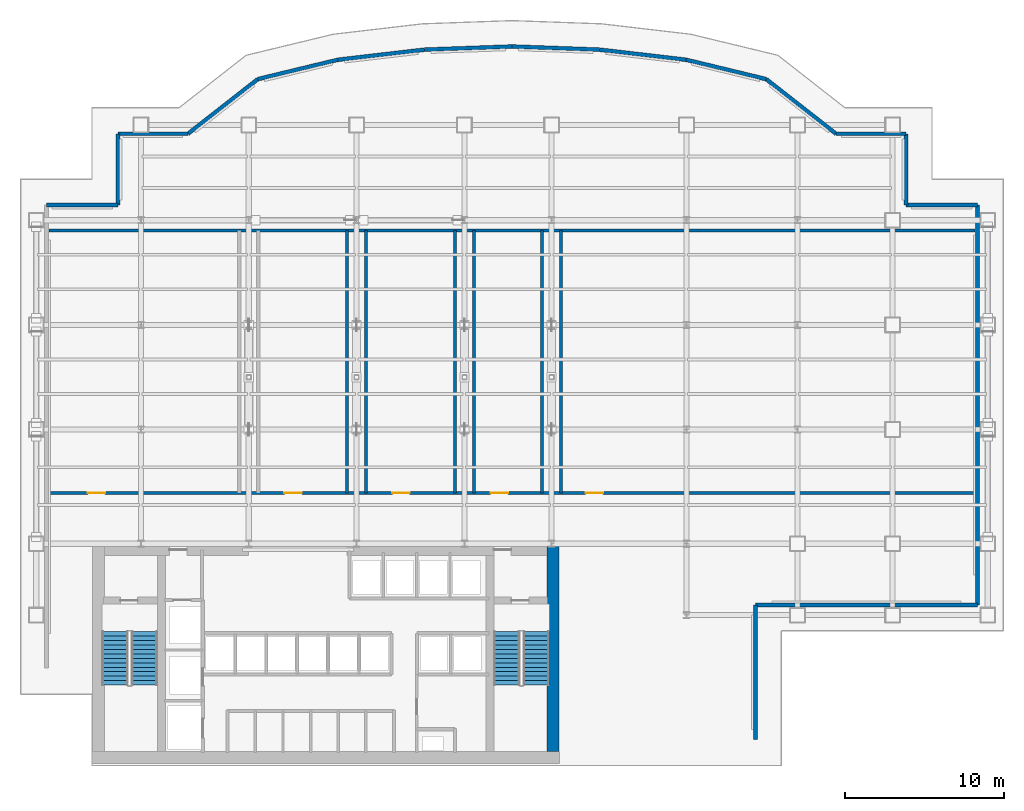
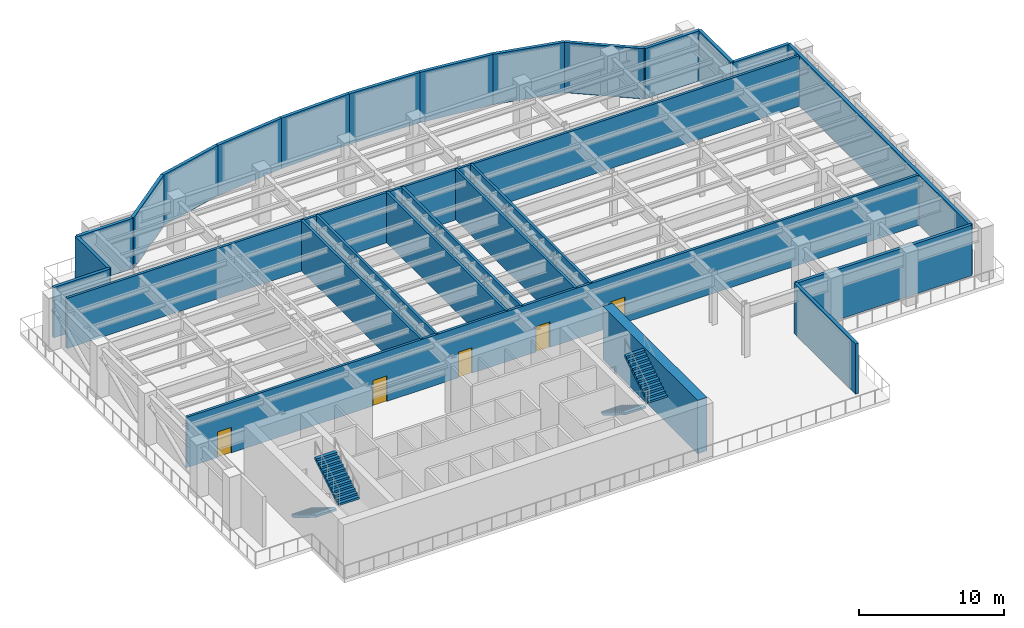
# One storey, part 11 of 14: 26 walls, 5 doors, 4 stair flights, 5 openings, 2 elements without a shape of their own.
"""IFC4 building model written with IfcOpenShell, lengths in metres."""

from ifc_helpers import new_model, si_unit, derived_unit, direction, frame, frame_2d, origin, place, context, subcontext, project, spatial, polyline, rectangle, outline, extrude, source, transform, mapped, material, layer, layer_set, type_object, element, fill, aggregate, save


model = new_model("IFC4")

# Units and contexts
model_context = context("Model", 3, precision=1e-05, world=origin(), true_north=direction((0.0, 1.0)))
body_context = subcontext(model_context, "Body", "Model", "MODEL_VIEW")
ifc_project = project(units=[si_unit("LENGTHUNIT", "METRE"), si_unit("AREAUNIT", "SQUARE_METRE"), si_unit("VOLUMEUNIT", "CUBIC_METRE"), si_unit("PLANEANGLEUNIT", "RADIAN"), si_unit("MASSUNIT", "GRAM", prefix="KILO"), derived_unit("THERMALTRANSMITTANCEUNIT", [(si_unit("POWERUNIT", "WATT"), 1), (si_unit("LENGTHUNIT", "METRE"), -2), (si_unit("THERMODYNAMICTEMPERATUREUNIT", "KELVIN"), -1)])], contexts=[model_context])

# Site, building, storey
site_placement = place(None, origin())
site = spatial("IfcSite", under=ifc_project, at=site_placement, CompositionType="ELEMENT")
building_placement = place(site_placement, origin())
building = spatial("IfcBuilding", under=site, at=building_placement, Name="Skarnbrae Concourse Arena and Tower", CompositionType="ELEMENT")
storey_placement = place(building_placement, frame((0.0, 0.0, 84.14990234375)))
storey = spatial("IfcBuildingStorey", under=building, at=storey_placement, Name="L20", CompositionType="ELEMENT", Elevation=84.14990234375)

# Walls
ifc_material_1 = material(Name="Concrete 60 MPa (C60/75)", Category="concrete")
ifc_layer_1 = layer(ifc_material_1, 0.75)
ifc_layer_set_1 = layer_set([ifc_layer_1], Name="Concrete 60 MPa (C60/75)")
wall_type_1 = type_object("IfcWallType", Name="WALL-CORE-750-C60", PredefinedType="SHEAR", material=ifc_layer_set_1)
shared_shape_1 = source(origin(), body_context, "Body", "SweptSolid", [
    extrude(rectangle(XDim=13.10009765625, YDim=0.75, at=frame_2d((6.550048828125, 0.0))), origin(), (0.0, 0.0, 1.0), 4.5),
])
wall_1_placement = place(storey_placement, frame((33.574951171875, 0.89990234375, 0.0), z_axis=(0.0, 0.0, 1.0), x_axis=(0.0, 1.0, 0.0)))
element("IfcWall", 1, at=wall_1_placement, inside=storey, type_object=wall_type_1, Name="L20 Rear core shear wall CW-E", PredefinedType="SHEAR", context=body_context, shape_type="MappedRepresentation", body=[
    mapped(shared_shape_1, transform((0.0, 0.0, 0.0))),
])
ifc_material_2 = material(Name="Precast concrete 40 MPa (C40/50)", Category="concrete")
ifc_layer_2 = layer(ifc_material_2, 0.25)
ifc_layer_set_2 = layer_set([ifc_layer_2], Name="Precast concrete 40 MPa (C40/50)")
wall_type_2 = type_object("IfcWallType", Name="WALL-EXT-SPANDREL-250", PredefinedType="STANDARD", material=ifc_layer_set_2)
shared_shape_2 = source(origin(), body_context, "Body", "SweptSolid", [
    extrude(rectangle(XDim=4.5, YDim=0.25, at=frame_2d((2.25, 0.0))), origin(), (0.0, 0.0, 1.0), 4.25),
])
for number, where, z_axis, x_axis, name in (
    (2, (1.64990234375, 35.35009765625, 0.0), (0.0, 0.0, 1.0), (1.0, 0.0, 0.0), "L20 Recessed refuge mechanical band wall 04"),
    (3, (6.14990234375, 35.35009765625, 0.0), (0.0, 0.0, 1.0), (0.0, 1.0, 0.0), "L20 Recessed refuge mechanical band wall 05"),
    (4, (55.85009765625, 39.85009765625, 0.0), (0.0, 0.0, 1.0), (0.0, -1.0, 0.0), "L20 Recessed refuge mechanical band wall 16"),
    (5, (55.85009765625, 35.35009765625, 0.0), (0.0, 0.0, 1.0), (1.0, 0.0, 0.0), "L20 Recessed refuge mechanical band wall 17"),
):
    element("IfcWall", number, at=place(storey_placement, frame(where, z_axis=z_axis, x_axis=x_axis)), inside=storey, type_object=wall_type_2, Name=name, PredefinedType="STANDARD", context=body_context, shape_type="MappedRepresentation", body=[
        mapped(shared_shape_2, transform((0.0, 0.0, 0.0))),
    ])
shared_shape_3 = source(origin(), body_context, "Body", "SweptSolid", [
    extrude(rectangle(XDim=4.418701171875, YDim=0.25, at=frame_2d((2.20947265625, 0.0))), origin(), (0.0, 0.0, 1.0), 4.25),
])
for number, where, z_axis, x_axis, name in (
    (6, (6.14990234375, 39.85009765625, 0.0), (0.0, 0.0, 1.0), (1.0, 0.0, 0.0), "L20 Recessed refuge mechanical band wall 06"),
    (7, (51.431396484375, 39.85009765625, 0.0), (0.0, 0.0, 1.0), (1.0, 0.0, 0.0), "L20 Recessed refuge mechanical band wall 15"),
):
    element("IfcWall", number, at=place(storey_placement, frame(where, z_axis=z_axis, x_axis=x_axis)), inside=storey, type_object=wall_type_2, Name=name, PredefinedType="STANDARD", context=body_context, shape_type="MappedRepresentation", body=[
        mapped(shared_shape_3, transform((0.0, 0.0, 0.0))),
    ])
shared_shape_4 = source(origin(), body_context, "Body", "SweptSolid", [
    extrude(rectangle(XDim=5.586669921875, YDim=0.25, at=frame_2d((2.79345703125, 0.0))), origin(), (0.0, 0.0, 1.0), 4.25),
])
for number, where, z_axis, x_axis, name in (
    (8, (10.568603515625, 39.85009765625, 0.0), (0.0, 0.0, 1.0), (0.787669121273, 0.61609849488, 0.0), "L20 Recessed refuge mechanical band wall 07"),
    (9, (47.031005859375, 43.2919921875, 0.0), (0.0, 0.0, 1.0), (0.787669121273, -0.61609849488, 0.0), "L20 Recessed refuge mechanical band wall 14"),
):
    element("IfcWall", number, at=place(storey_placement, frame(where, z_axis=z_axis, x_axis=x_axis)), inside=storey, type_object=wall_type_2, Name=name, PredefinedType="STANDARD", context=body_context, shape_type="MappedRepresentation", body=[
        mapped(shared_shape_4, transform((0.0, 0.0, 0.0))),
    ])
shared_shape_5 = source(origin(), body_context, "Body", "SweptSolid", [
    extrude(rectangle(XDim=5.19482421875, YDim=0.25, at=frame_2d((2.597412109375, 0.0))), origin(), (0.0, 0.0, 1.0), 4.25),
])
for number, where, z_axis, x_axis, name in (
    (10, (14.968994140625, 43.2919921875, 0.0), (0.0, 0.0, 1.0), (0.97197713532, 0.23507541006, 0.0), "L20 Recessed refuge mechanical band wall 08"),
    (11, (41.981689453125, 44.51318359375, 0.0), (0.0, 0.0, 1.0), (0.97197713532, -0.23507541006, 0.0), "L20 Recessed refuge mechanical band wall 13"),
):
    element("IfcWall", number, at=place(storey_placement, frame(where, z_axis=z_axis, x_axis=x_axis)), inside=storey, type_object=wall_type_2, Name=name, PredefinedType="STANDARD", context=body_context, shape_type="MappedRepresentation", body=[
        mapped(shared_shape_5, transform((0.0, 0.0, 0.0))),
    ])
shared_shape_6 = source(origin(), body_context, "Body", "SweptSolid", [
    extrude(rectangle(XDim=5.490478515625, YDim=0.25, at=frame_2d((2.7451171875, 0.0))), origin(), (0.0, 0.0, 1.0), 4.25),
])
for number, where, z_axis, x_axis, name in (
    (12, (20.018310546875, 44.51318359375, 0.0), (0.0, 0.0, 1.0), (0.993242565891, 0.116056905447, 0.0), "L20 Recessed refuge mechanical band wall 09"),
    (13, (36.5283203125, 45.150390625, 0.0), (0.0, 0.0, 1.0), (0.993242565891, -0.116056905447, 0.0), "L20 Recessed refuge mechanical band wall 12"),
):
    element("IfcWall", number, at=place(storey_placement, frame(where, z_axis=z_axis, x_axis=x_axis)), inside=storey, type_object=wall_type_2, Name=name, PredefinedType="STANDARD", context=body_context, shape_type="MappedRepresentation", body=[
        mapped(shared_shape_6, transform((0.0, 0.0, 0.0))),
    ])
shared_shape_7 = source(origin(), body_context, "Body", "SweptSolid", [
    extrude(rectangle(XDim=5.531982421875, YDim=0.25, at=frame_2d((2.76611328125, 0.0))), origin(), (0.0, 0.0, 1.0), 4.25),
])
for number, where, z_axis, x_axis, name in (
    (14, (25.4716796875, 45.150390625, 0.0), (0.0, 0.0, 1.0), (0.999356089991, 0.035880431954, 0.0), "L20 Recessed refuge mechanical band wall 10"),
    (15, (31.0, 45.348876953125, 0.0), (0.0, 0.0, 1.0), (0.999356089991, -0.035880431954, 0.0), "L20 Recessed refuge mechanical band wall 11"),
):
    element("IfcWall", number, at=place(storey_placement, frame(where, z_axis=z_axis, x_axis=x_axis)), inside=storey, type_object=wall_type_2, Name=name, PredefinedType="STANDARD", context=body_context, shape_type="MappedRepresentation", body=[
        mapped(shared_shape_7, transform((0.0, 0.0, 0.0))),
    ])
shared_shape_8 = source(origin(), body_context, "Body", "SweptSolid", [
    extrude(rectangle(XDim=25.2001953125, YDim=0.25, at=frame_2d((12.60009765625, 0.0))), origin(), (0.0, 0.0, 1.0), 4.25),
])
wall_2_placement = place(storey_placement, frame((60.35009765625, 35.35009765625, 0.0), z_axis=(0.0, 0.0, 1.0), x_axis=(0.0, -1.0, 0.0)))
element("IfcWall", 16, at=wall_2_placement, inside=storey, type_object=wall_type_2, Name="L20 Recessed refuge mechanical band wall 18", PredefinedType="STANDARD", context=body_context, shape_type="MappedRepresentation", body=[
    mapped(shared_shape_8, transform((0.0, 0.0, 0.0))),
])
shared_shape_9 = source(origin(), body_context, "Body", "SweptSolid", [
    extrude(rectangle(XDim=14.0, YDim=0.25, at=frame_2d((7.0, 0.0))), origin(), (0.0, 0.0, 1.0), 4.25),
])
wall_3_placement = place(storey_placement, frame((60.35009765625, 10.14990234375, 0.0), z_axis=(0.0, 0.0, 1.0), x_axis=(-1.0, 0.0, 0.0)))
element("IfcWall", 17, at=wall_3_placement, inside=storey, type_object=wall_type_2, Name="L20 Recessed refuge mechanical band wall 19", PredefinedType="STANDARD", context=body_context, shape_type="MappedRepresentation", body=[
    mapped(shared_shape_9, transform((0.0, 0.0, 0.0))),
])
shared_shape_10 = source(origin(), body_context, "Body", "SweptSolid", [
    extrude(rectangle(XDim=8.5, YDim=0.25, at=frame_2d((4.25, 0.0))), origin(), (0.0, 0.0, 1.0), 4.25),
])
wall_4_placement = place(storey_placement, frame((46.35009765625, 10.14990234375, 0.0), z_axis=(0.0, 0.0, 1.0), x_axis=(0.0, -1.0, 0.0)))
element("IfcWall", 18, at=wall_4_placement, inside=storey, type_object=wall_type_2, Name="L20 Recessed refuge mechanical band wall 20", PredefinedType="STANDARD", context=body_context, shape_type="MappedRepresentation", body=[
    mapped(shared_shape_10, transform((0.0, 0.0, 0.0))),
])

# Wall, openings, doors
ifc_material_3 = material(Name="Gypsum board on cold-formed steel studs", Category="steel")
ifc_layer_3 = layer(ifc_material_3, 0.199951171875)
ifc_layer_set_3 = layer_set([ifc_layer_3], Name="Gypsum board on cold-formed steel studs")
wall_type_3 = type_object("IfcWallType", Name="WALL-PART-200-2HR", PredefinedType="PARTITIONING", material=ifc_layer_set_3)
shared_shape_11 = source(origin(), body_context, "Body", "SweptSolid", [
    extrude(rectangle(XDim=58.419921875, YDim=0.199951171875, at=frame_2d((29.2099609375, 0.0))), origin(), (0.0, 0.0, 1.0), 4.25),
])
wall_5_placement = place(storey_placement, frame((1.7900390625, 17.199951171875, 0.0), z_axis=(0.0, 0.0, 1.0), x_axis=(1.0, 0.0, 0.0)))
wall_5 = element("IfcWall", 19, at=wall_5_placement, inside=storey, type_object=wall_type_3, Name="L20 Interior partition wall W-L20-PCN", PredefinedType="PARTITIONING", context=body_context, shape_type="MappedRepresentation", body=[
    mapped(shared_shape_11, transform((0.0, 0.0, 0.0))),
])
opening_1_placement = place(wall_5_placement, frame((2.4599609375, 0.0, 0.0)))
opening_1 = element("IfcOpeningElement", 20, at=opening_1_placement, cuts=wall_5, Name="Opening DT-03", PredefinedType="OPENING", context=body_context, shape_type="SweptSolid", body=[
    extrude(rectangle(XDim=1.10009765625, YDim=2.14990234375, at=frame_2d((0.550048828125, 1.074951171875))), frame((0.0, 0.10986328125, 0.0), z_axis=(0.0, -1.0, 0.0), x_axis=(1.0, 0.0, 0.0)), (0.0, 0.0, 1.0), 0.219970703125),
])
opening_2_placement = place(wall_5_placement, frame((14.860107421875, 0.0, 0.0)))
opening_2 = element("IfcOpeningElement", 21, at=opening_2_placement, cuts=wall_5, Name="Opening DT-03", PredefinedType="OPENING", context=body_context, shape_type="SweptSolid", body=[
    extrude(rectangle(XDim=1.10009765625, YDim=2.14990234375, at=frame_2d((0.550048828125, 1.074951171875))), frame((0.0, 0.10986328125, 0.0), z_axis=(0.0, -1.0, 0.0), x_axis=(1.0, 0.0, 0.0)), (0.0, 0.0, 1.0), 0.219970703125),
])
opening_3_placement = place(wall_5_placement, frame((21.659912109375, 0.0, 0.0)))
opening_3 = element("IfcOpeningElement", 22, at=opening_3_placement, cuts=wall_5, Name="Opening DT-03", PredefinedType="OPENING", context=body_context, shape_type="SweptSolid", body=[
    extrude(rectangle(XDim=1.10009765625, YDim=2.14990234375, at=frame_2d((0.550048828125, 1.074951171875))), frame((0.0, 0.10986328125, 0.0), z_axis=(0.0, -1.0, 0.0), x_axis=(1.0, 0.0, 0.0)), (0.0, 0.0, 1.0), 0.219970703125),
])
opening_4_placement = place(wall_5_placement, frame((27.860107421875, 0.0, 0.0)))
opening_4 = element("IfcOpeningElement", 23, at=opening_4_placement, cuts=wall_5, Name="Opening DT-03", PredefinedType="OPENING", context=body_context, shape_type="SweptSolid", body=[
    extrude(rectangle(XDim=1.10009765625, YDim=2.14990234375, at=frame_2d((0.550048828125, 1.074951171875))), frame((0.0, 0.10986328125, 0.0), z_axis=(0.0, -1.0, 0.0), x_axis=(1.0, 0.0, 0.0)), (0.0, 0.0, 1.0), 0.219970703125),
])
opening_5_placement = place(wall_5_placement, frame((33.860107421875, 0.0, 0.0)))
opening_5 = element("IfcOpeningElement", 24, at=opening_5_placement, cuts=wall_5, Name="Opening DT-03", PredefinedType="OPENING", context=body_context, shape_type="SweptSolid", body=[
    extrude(rectangle(XDim=1.10009765625, YDim=2.14990234375, at=frame_2d((0.550048828125, 1.074951171875))), frame((0.0, 0.10986328125, 0.0), z_axis=(0.0, -1.0, 0.0), x_axis=(1.0, 0.0, 0.0)), (0.0, 0.0, 1.0), 0.219970703125),
])
ifc_material_4 = material(Name="Steel CSA G40.21 350W", Category="steel")
door_type = type_object("IfcDoorType", Name="DOOR-FIRE-1100-90M", OperationType="NOTDEFINED", PredefinedType="DOOR", material=ifc_material_4)
shared_shape_12 = source(origin(), body_context, "Body", "SweptSolid", [
    extrude(rectangle(XDim=1.10009765625, YDim=2.14990234375, at=frame_2d((0.550048828125, 1.074951171875))), frame((0.0, 0.02490234375, 0.0), z_axis=(0.0, -1.0, 0.0), x_axis=(1.0, 0.0, 0.0)), (0.0, 0.0, 1.0), 0.050048828125),
])
door_1_placement = place(opening_1_placement, origin())
door_1 = element("IfcDoor", 25, at=door_1_placement, inside=storey, type_object=door_type, Name="D-0728 Refuge Area West Door", OperationType="SINGLE_SWING_LEFT", OverallHeight=2.14990234375, OverallWidth=1.10009765625, PredefinedType="DOOR", context=body_context, shape_type="MappedRepresentation", body=[
    mapped(shared_shape_12, transform((0.0, 0.0, 0.0))),
])
fill(opening_1, door_1)
door_2_placement = place(opening_2_placement, origin())
door_2 = element("IfcDoor", 26, at=door_2_placement, inside=storey, type_object=door_type, Name="D-0729 Chiller and Heat Rejection Mechanical Plant Door", OperationType="SINGLE_SWING_RIGHT", OverallHeight=2.14990234375, OverallWidth=1.10009765625, PredefinedType="DOOR", context=body_context, shape_type="MappedRepresentation", body=[
    mapped(shared_shape_12, transform((0.0, 0.0, 0.0))),
])
fill(opening_2, door_2)
door_3_placement = place(opening_3_placement, origin())
door_3 = element("IfcDoor", 27, at=door_3_placement, inside=storey, type_object=door_type, Name="D-0730 AHU Supply Fan Mechanical Plant Room Door", OperationType="SINGLE_SWING_LEFT", OverallHeight=2.14990234375, OverallWidth=1.10009765625, PredefinedType="DOOR", context=body_context, shape_type="MappedRepresentation", body=[
    mapped(shared_shape_12, transform((0.0, 0.0, 0.0))),
])
fill(opening_3, door_3)
door_4_placement = place(opening_4_placement, origin())
door_4 = element("IfcDoor", 28, at=door_4_placement, inside=storey, type_object=door_type, Name="D-0731 Domestic Booster and Fire Pump Mechanical Plant Door", OperationType="SINGLE_SWING_RIGHT", OverallHeight=2.14990234375, OverallWidth=1.10009765625, PredefinedType="DOOR", context=body_context, shape_type="MappedRepresentation", body=[
    mapped(shared_shape_12, transform((0.0, 0.0, 0.0))),
])
fill(opening_4, door_4)
door_5_placement = place(opening_5_placement, origin())
door_5 = element("IfcDoor", 29, at=door_5_placement, inside=storey, type_object=door_type, Name="D-0732 Refuge Area East Door", OperationType="SINGLE_SWING_LEFT", OverallHeight=2.14990234375, OverallWidth=1.10009765625, PredefinedType="DOOR", context=body_context, shape_type="MappedRepresentation", body=[
    mapped(shared_shape_12, transform((0.0, 0.0, 0.0))),
])
fill(opening_5, door_5)

# Walls
wall_6_placement = place(storey_placement, frame((1.7900390625, 33.75, 0.0), z_axis=(0.0, 0.0, 1.0), x_axis=(1.0, 0.0, 0.0)))
element("IfcWall", 30, at=wall_6_placement, inside=storey, type_object=wall_type_3, Name="L20 Interior partition wall W-L20-BTN-S", PredefinedType="PARTITIONING", context=body_context, shape_type="MappedRepresentation", body=[
    mapped(shared_shape_11, transform((0.0, 0.0, 0.0))),
])
shared_shape_13 = source(origin(), body_context, "Body", "SweptSolid", [
    extrude(rectangle(XDim=16.550048828125, YDim=0.199951171875, at=frame_2d((8.27490234375, 0.0))), origin(), (0.0, 0.0, 1.0), 4.25),
])
for number, where, z_axis, x_axis, name in (
    (31, (20.60009765625, 17.199951171875, 0.0), (0.0, 0.0, 1.0), (0.0, 1.0, 0.0), "L20 Interior partition wall W-L20-OCH-206"),
    (32, (21.800048828125, 17.199951171875, 0.0), (0.0, 0.0, 1.0), (0.0, 1.0, 0.0), "L20 Interior partition wall W-L20-OCH-218"),
    (33, (27.39990234375, 17.199951171875, 0.0), (0.0, 0.0, 1.0), (0.0, 1.0, 0.0), "L20 Interior partition wall W-L20-OCH-274"),
    (34, (28.60009765625, 17.199951171875, 0.0), (0.0, 0.0, 1.0), (0.0, 1.0, 0.0), "L20 Interior partition wall W-L20-OCH-286"),
    (35, (32.89990234375, 17.199951171875, 0.0), (0.0, 0.0, 1.0), (0.0, 1.0, 0.0), "L20 Interior partition wall W-L20-OCH-329"),
    (36, (34.10009765625, 17.199951171875, 0.0), (0.0, 0.0, 1.0), (0.0, 1.0, 0.0), "L20 Interior partition wall W-L20-OCH-341"),
):
    element("IfcWall", number, at=place(storey_placement, frame(where, z_axis=z_axis, x_axis=x_axis)), inside=storey, type_object=wall_type_3, Name=name, PredefinedType="PARTITIONING", context=body_context, shape_type="MappedRepresentation", body=[
        mapped(shared_shape_13, transform((0.0, 0.0, 0.0))),
    ])

# Stair, stair flights
ifc_material_5 = material(Name="Concrete 40 MPa (C40/50)", Category="concrete")
stair_type = type_object("IfcStairType", Name="STAIR-DOGLEG-1650", PredefinedType="HALF_TURN_STAIR", material=ifc_material_5)
stair_1_placement = place(storey_placement, origin())
stair_1 = element("IfcStair", 37, at=stair_1_placement, inside=storey, type_object=stair_type, Name="L20 Protected Exit Stair ST-1", PredefinedType="HALF_TURN_STAIR")
stair_flight_type = type_object("IfcStairFlightType", Name="FLIGHT-STRAIGHT-1650", PredefinedType="STRAIGHT", material=ifc_material_5)
shared_shape_14 = source(origin(), body_context, "Body", "SweptSolid", [
    extrude(outline(polyline([(0.0, 0.0), (0.0, 0.173095703125), (0.280029296875, 0.173095703125), (0.280029296875, 0.34619140625), (0.56005859375, 0.34619140625), (0.56005859375, 0.519287109375), (0.840087890625, 0.519287109375), (0.840087890625, 0.6923828125), (1.1201171875, 0.6923828125), (1.1201171875, 0.865478515625), (1.39990234375, 0.865478515625), (1.39990234375, 1.03857421875), (1.679931640625, 1.03857421875), (1.679931640625, 1.21142578125), (1.9599609375, 1.21142578125), (1.9599609375, 1.384521484375), (2.239990234375, 1.384521484375), (2.239990234375, 1.5576171875), (2.52001953125, 1.5576171875), (2.52001953125, 1.730712890625), (2.800048828125, 1.730712890625), (2.800048828125, 1.90380859375), (3.080078125, 1.90380859375), (3.080078125, 2.076904296875), (3.360107421875, 2.076904296875), (3.360107421875, 2.25), (3.360107421875, 1.900634765625), (0.28515625, 0.0), (0.0, 0.0)])), frame((0.0, 0.824951171875, 0.0), z_axis=(0.0, -1.0, 0.0), x_axis=(1.0, 0.0, 0.0)), (0.0, 0.0, 1.0), 1.64990234375),
])
stair_flight_1_placement = place(storey_placement, frame((5.97509765625, 8.449951171875, 0.0), z_axis=(0.0, 0.0, 1.0), x_axis=(0.0, -1.0, 0.0)))
stair_flight_1 = element("IfcStairFlight", 38, at=stair_flight_1_placement, type_object=stair_flight_type, Name="ST-1 flight 1", NumberOfRisers=13, NumberOfTreads=12, PredefinedType="STRAIGHT", RiserHeight=0.173076923, TreadLength=0.28, context=body_context, shape_type="MappedRepresentation", body=[
    mapped(shared_shape_14, transform((0.0, 0.0, 0.0))),
])
stair_flight_2_placement = place(storey_placement, frame((7.824951171875, 5.090087890625, 2.25), z_axis=(0.0, 0.0, 1.0), x_axis=(0.0, 1.0, 0.0)))
stair_flight_2 = element("IfcStairFlight", 39, at=stair_flight_2_placement, type_object=stair_flight_type, Name="ST-1 flight 2", NumberOfRisers=13, NumberOfTreads=12, PredefinedType="STRAIGHT", RiserHeight=0.173076923, TreadLength=0.28, context=body_context, shape_type="MappedRepresentation", body=[
    mapped(shared_shape_14, transform((0.0, 0.0, 0.0))),
])
aggregate(stair_1, [stair_flight_1, stair_flight_2])

stair_2_placement = place(storey_placement, origin())
stair_2 = element("IfcStair", 40, at=stair_2_placement, inside=storey, type_object=stair_type, Name="L20 Protected Exit Stair ST-2", PredefinedType="HALF_TURN_STAIR")
stair_flight_3_placement = place(storey_placement, frame((30.675048828125, 8.449951171875, 0.0), z_axis=(0.0, 0.0, 1.0), x_axis=(0.0, -1.0, 0.0)))
stair_flight_3 = element("IfcStairFlight", 41, at=stair_flight_3_placement, type_object=stair_flight_type, Name="ST-2 flight 1", NumberOfRisers=13, NumberOfTreads=12, PredefinedType="STRAIGHT", RiserHeight=0.173076923, TreadLength=0.28, context=body_context, shape_type="MappedRepresentation", body=[
    mapped(shared_shape_14, transform((0.0, 0.0, 0.0))),
])
stair_flight_4_placement = place(storey_placement, frame((32.52490234375, 5.090087890625, 2.25), z_axis=(0.0, 0.0, 1.0), x_axis=(0.0, 1.0, 0.0)))
stair_flight_4 = element("IfcStairFlight", 42, at=stair_flight_4_placement, type_object=stair_flight_type, Name="ST-2 flight 2", NumberOfRisers=13, NumberOfTreads=12, PredefinedType="STRAIGHT", RiserHeight=0.173076923, TreadLength=0.28, context=body_context, shape_type="MappedRepresentation", body=[
    mapped(shared_shape_14, transform((0.0, 0.0, 0.0))),
])
aggregate(stair_2, [stair_flight_3, stair_flight_4])

save(model, "model.ifc")
